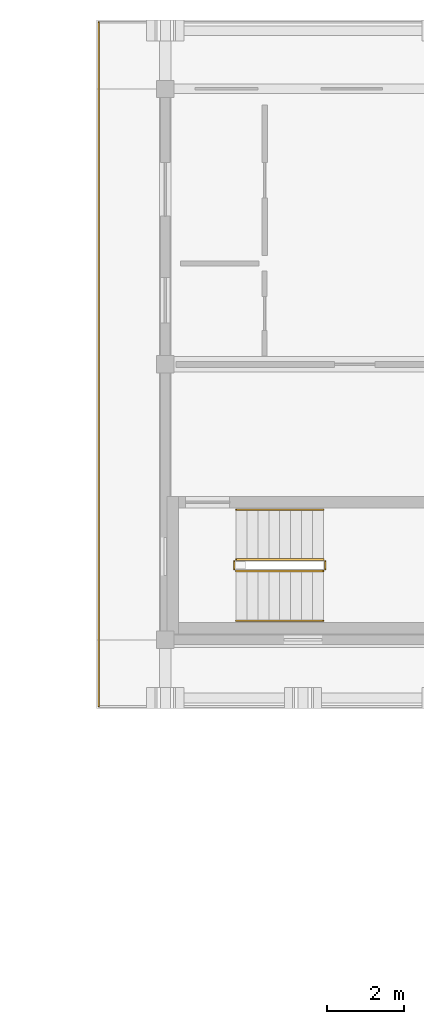
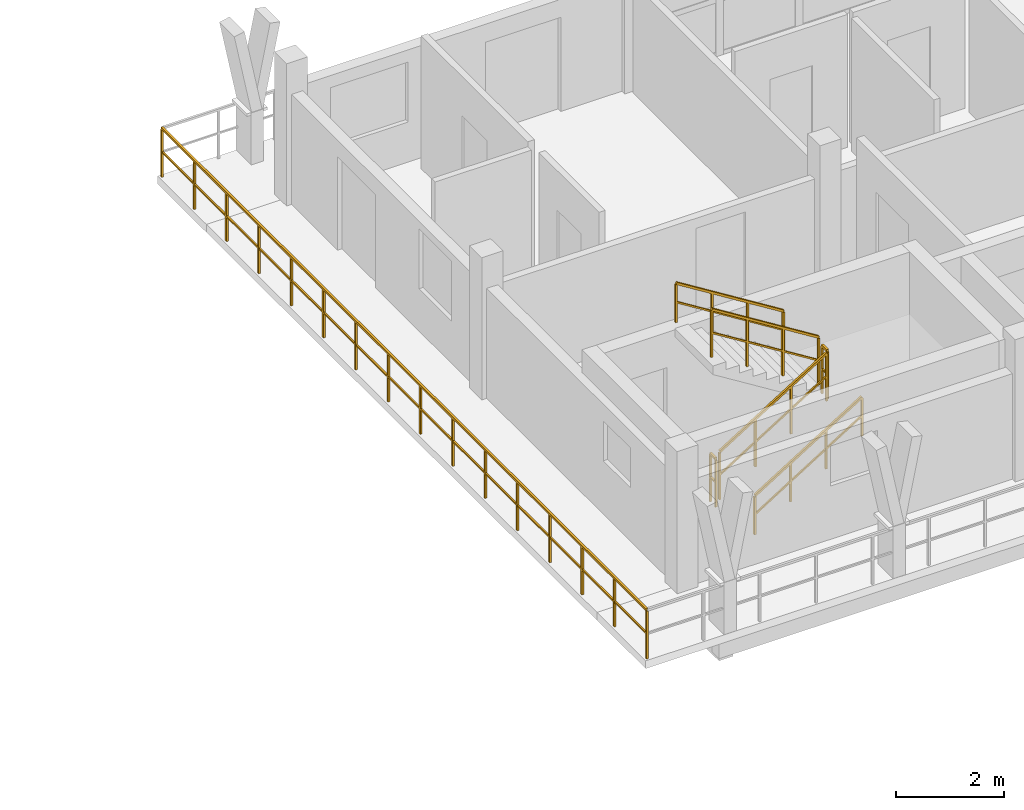
# One storey, part 42 of 45: 7 railings.
"""IFC4 building model written with IfcOpenShell, lengths in metres."""

from ifc_helpers import new_model, si_unit, direction, frame, origin, origin_2d, place, context, subcontext, project, spatial, rectangle, extrude, material, type_object, element, save


model = new_model("IFC4")

# Units and contexts
model_context = context("Model", 3, precision=1e-05, world=origin(), true_north=direction((0.0, 1.0)))
body_context = subcontext(model_context, "Body", "Model", "MODEL_VIEW")
ifc_project = project(units=[si_unit("LENGTHUNIT", "METRE"), si_unit("AREAUNIT", "SQUARE_METRE"), si_unit("VOLUMEUNIT", "CUBIC_METRE"), si_unit("PLANEANGLEUNIT", "RADIAN"), si_unit("MASSUNIT", "GRAM", prefix="KILO")], contexts=[model_context])

# Site, building, storey
site_placement = place(None, origin())
site = spatial("IfcSite", under=ifc_project, at=site_placement, CompositionType="ELEMENT")
building_placement = place(site_placement, origin())
building = spatial("IfcBuilding", under=site, at=building_placement, Name="Suanplinth Sawtooth Commons", CompositionType="ELEMENT")
storey_placement = place(building_placement, frame((0.0, 0.0, 38.0)))
storey = spatial("IfcBuildingStorey", under=building, at=storey_placement, Name="L11", CompositionType="ELEMENT", Elevation=38.0)

# Railings
ifc_material_1 = material(Name="Powder-coated galvanized steel", Category="steel")
railing_type_1 = type_object("IfcRailingType", Name="GR-01", PredefinedType="BALUSTRADE", material=ifc_material_1)
railing_1_placement = place(storey_placement, frame((135.06005859375, 106.260009765625, 0.0)))
element("IfcRailing", 1, at=railing_1_placement, inside=storey, type_object=railing_type_1, Name="L11 Block B Perimeter Balustrade 3", PredefinedType="BALUSTRADE", context=body_context, shape_type="SweptSolid", body=[
    extrude(rectangle(XDim=0.048095703125, YDim=0.048095703125, at=origin_2d()), frame((0.0, 0.0, 1.09619140625), z_axis=(0.0, 1.0, 0.0), x_axis=(-1.0, 0.0, 0.0)), (0.0, 0.0, 1.0), 17.8798828125),
    extrude(rectangle(XDim=0.03369140625, YDim=0.03369140625, at=origin_2d()), frame((0.0, 0.0, 0.56005859375), z_axis=(0.0, 1.0, 0.0), x_axis=(-1.0, 0.0, 0.0)), (0.0, 0.0, 1.0), 17.8798828125),
    extrude(rectangle(XDim=0.0419921875, YDim=0.0419921875, at=origin_2d()), origin(), (0.0, 0.0, 1.0), 1.072021484375),
    extrude(rectangle(XDim=0.0419921875, YDim=0.0419921875, at=origin_2d()), frame((0.0, 1.19189453125, 0.0)), (0.0, 0.0, 1.0), 1.072021484375),
    extrude(rectangle(XDim=0.0419921875, YDim=0.0419921875, at=origin_2d()), frame((0.0, 2.384033203125, 0.0)), (0.0, 0.0, 1.0), 1.072021484375),
    extrude(rectangle(XDim=0.0419921875, YDim=0.0419921875, at=origin_2d()), frame((0.0, 3.575927734375, 0.0)), (0.0, 0.0, 1.0), 1.072021484375),
    extrude(rectangle(XDim=0.0419921875, YDim=0.0419921875, at=origin_2d()), frame((0.0, 4.76806640625, 0.0)), (0.0, 0.0, 1.0), 1.072021484375),
    extrude(rectangle(XDim=0.0419921875, YDim=0.0419921875, at=origin_2d()), frame((0.0, 5.9599609375, 0.0)), (0.0, 0.0, 1.0), 1.072021484375),
    extrude(rectangle(XDim=0.0419921875, YDim=0.0419921875, at=origin_2d()), frame((0.0, 7.15185546875, 0.0)), (0.0, 0.0, 1.0), 1.072021484375),
    extrude(rectangle(XDim=0.0419921875, YDim=0.0419921875, at=origin_2d()), frame((0.0, 8.343994140625, 0.0)), (0.0, 0.0, 1.0), 1.072021484375),
    extrude(rectangle(XDim=0.0419921875, YDim=0.0419921875, at=origin_2d()), frame((0.0, 9.535888671875, 0.0)), (0.0, 0.0, 1.0), 1.072021484375),
    extrude(rectangle(XDim=0.0419921875, YDim=0.0419921875, at=origin_2d()), frame((0.0, 10.72802734375, 0.0)), (0.0, 0.0, 1.0), 1.072021484375),
    extrude(rectangle(XDim=0.0419921875, YDim=0.0419921875, at=origin_2d()), frame((0.0, 11.919921875, 0.0)), (0.0, 0.0, 1.0), 1.072021484375),
    extrude(rectangle(XDim=0.0419921875, YDim=0.0419921875, at=origin_2d()), frame((0.0, 13.11181640625, 0.0)), (0.0, 0.0, 1.0), 1.072021484375),
    extrude(rectangle(XDim=0.0419921875, YDim=0.0419921875, at=origin_2d()), frame((0.0, 14.303955078125, 0.0)), (0.0, 0.0, 1.0), 1.072021484375),
    extrude(rectangle(XDim=0.0419921875, YDim=0.0419921875, at=origin_2d()), frame((0.0, 15.495849609375, 0.0)), (0.0, 0.0, 1.0), 1.072021484375),
    extrude(rectangle(XDim=0.0419921875, YDim=0.0419921875, at=origin_2d()), frame((0.0, 16.68798828125, 0.0)), (0.0, 0.0, 1.0), 1.072021484375),
    extrude(rectangle(XDim=0.0419921875, YDim=0.0419921875, at=origin_2d()), frame((0.0, 17.8798828125, 0.0)), (0.0, 0.0, 1.0), 1.072021484375),
])
ifc_material_2 = material(Name="Stainless steel Grade 304", Category="steel")
railing_type_2 = type_object("IfcRailingType", Name="GR-04", PredefinedType="GUARDRAIL", material=ifc_material_2)
railing_2_placement = place(storey_placement, frame((138.64990234375, 109.800048828125, 0.177734375)))
element("IfcRailing", 2, at=railing_2_placement, inside=storey, type_object=railing_type_2, Name="L11 ST-E1 Guard 1", PredefinedType="GUARDRAIL", context=body_context, shape_type="SweptSolid", body=[
    extrude(rectangle(XDim=0.048095703125, YDim=0.048095703125, at=origin_2d()), frame((0.0, 0.0, 1.076171875), z_axis=(0.848442045328, 0.0, 0.529288291689), x_axis=(0.0, 1.0, 0.0)), (0.0, 0.0, 1.0), 2.687255859375),
    extrude(rectangle(XDim=0.03369140625, YDim=0.03369140625, at=origin_2d()), frame((0.0, 0.0, 0.550048828125), z_axis=(0.848442045328, 0.0, 0.529288291689), x_axis=(0.0, 1.0, 0.0)), (0.0, 0.0, 1.0), 2.687255859375),
    extrude(rectangle(XDim=0.0419921875, YDim=0.0419921875, at=origin_2d()), origin(), (0.0, 0.0, 1.0), 1.052001953125),
    extrude(rectangle(XDim=0.0419921875, YDim=0.0419921875, at=origin_2d()), frame((0.760009765625, 0.0, 0.47412109375)), (0.0, 0.0, 1.0), 1.052001953125),
    extrude(rectangle(XDim=0.0419921875, YDim=0.0419921875, at=origin_2d()), frame((1.52001953125, 0.0, 0.9482421875)), (0.0, 0.0, 1.0), 1.052001953125),
    extrude(rectangle(XDim=0.0419921875, YDim=0.0419921875, at=origin_2d()), frame((2.280029296875, 0.0, 1.42236328125)), (0.0, 0.0, 1.0), 1.052001953125),
])
railing_3_placement = place(storey_placement, frame((140.97998046875, 109.85009765625, 1.60009765625)))
element("IfcRailing", 3, at=railing_3_placement, inside=storey, type_object=railing_type_2, Name="L11 ST-E1 Guard 2", PredefinedType="GUARDRAIL", context=body_context, shape_type="SweptSolid", body=[
    extrude(rectangle(XDim=0.048095703125, YDim=0.048095703125, at=origin_2d()), frame((0.0, 0.0, 1.076171875), z_axis=(0.0, 1.0, 0.0), x_axis=(-1.0, 0.0, 0.0)), (0.0, 0.0, 1.0), 0.199951171875),
    extrude(rectangle(XDim=0.03369140625, YDim=0.03369140625, at=origin_2d()), frame((0.0, 0.0, 0.550048828125), z_axis=(0.0, 1.0, 0.0), x_axis=(-1.0, 0.0, 0.0)), (0.0, 0.0, 1.0), 0.199951171875),
    extrude(rectangle(XDim=0.0419921875, YDim=0.0419921875, at=origin_2d()), origin(), (0.0, 0.0, 1.0), 1.052001953125),
    extrude(rectangle(XDim=0.0419921875, YDim=0.0419921875, at=origin_2d()), frame((0.0, 0.199951171875, 0.0)), (0.0, 0.0, 1.0), 1.052001953125),
])
railing_4_placement = place(storey_placement, frame((140.929931640625, 110.10009765625, 1.77783203125)))
element("IfcRailing", 4, at=railing_4_placement, inside=storey, type_object=railing_type_2, Name="L11 ST-E1 Guard 3", PredefinedType="GUARDRAIL", context=body_context, shape_type="SweptSolid", body=[
    extrude(rectangle(XDim=0.048095703125, YDim=0.048095703125, at=origin_2d()), frame((0.0, 0.0, 1.076171875), z_axis=(-0.848482842525, 0.0, 0.529222888715), x_axis=(0.0, -1.0, 0.0)), (0.0, 0.0, 1.0), 2.687255859375),
    extrude(rectangle(XDim=0.03369140625, YDim=0.03369140625, at=origin_2d()), frame((0.0, 0.0, 0.550048828125), z_axis=(-0.848482842525, 0.0, 0.529222888715), x_axis=(0.0, -1.0, 0.0)), (0.0, 0.0, 1.0), 2.687255859375),
    extrude(rectangle(XDim=0.0419921875, YDim=0.0419921875, at=origin_2d()), origin(), (0.0, 0.0, 1.0), 1.052001953125),
    extrude(rectangle(XDim=0.0419921875, YDim=0.0419921875, at=origin_2d()), frame((-0.760009765625, 0.0, 0.47412109375)), (0.0, 0.0, 1.0), 1.052001953125),
    extrude(rectangle(XDim=0.0419921875, YDim=0.0419921875, at=origin_2d()), frame((-1.52001953125, 0.0, 0.947998046875)), (0.0, 0.0, 1.0), 1.052001953125),
    extrude(rectangle(XDim=0.0419921875, YDim=0.0419921875, at=origin_2d()), frame((-2.280029296875, 0.0, 1.422119140625)), (0.0, 0.0, 1.0), 1.052001953125),
])
railing_5_placement = place(storey_placement, frame((138.60009765625, 109.85009765625, 0.0)))
element("IfcRailing", 5, at=railing_5_placement, inside=storey, type_object=railing_type_2, Name="L11 ST-E1 Guard 4", PredefinedType="GUARDRAIL", context=body_context, shape_type="SweptSolid", body=[
    extrude(rectangle(XDim=0.048095703125, YDim=0.048095703125, at=origin_2d()), frame((0.0, 0.0, 1.076171875), z_axis=(0.0, 1.0, 0.0), x_axis=(-1.0, 0.0, 0.0)), (0.0, 0.0, 1.0), 0.199951171875),
    extrude(rectangle(XDim=0.03369140625, YDim=0.03369140625, at=origin_2d()), frame((0.0, 0.0, 0.550048828125), z_axis=(0.0, 1.0, 0.0), x_axis=(-1.0, 0.0, 0.0)), (0.0, 0.0, 1.0), 0.199951171875),
    extrude(rectangle(XDim=0.0419921875, YDim=0.0419921875, at=origin_2d()), origin(), (0.0, 0.0, 1.0), 1.052001953125),
    extrude(rectangle(XDim=0.0419921875, YDim=0.0419921875, at=origin_2d()), frame((0.0, 0.199951171875, 0.0)), (0.0, 0.0, 1.0), 1.052001953125),
])
railing_type_3 = type_object("IfcRailingType", Name="HR-01", PredefinedType="HANDRAIL", material=ifc_material_2)
railing_6_placement = place(storey_placement, frame((138.64990234375, 108.5, 0.177734375)))
element("IfcRailing", 6, at=railing_6_placement, inside=storey, type_object=railing_type_3, Name="L11 ST-E1 Handrail 1", PredefinedType="HANDRAIL", context=body_context, shape_type="SweptSolid", body=[
    extrude(rectangle(XDim=0.048095703125, YDim=0.048095703125, at=origin_2d()), frame((0.0, 0.0, 0.8759765625), z_axis=(0.848442045328, 0.0, 0.529288291689), x_axis=(0.0, 1.0, 0.0)), (0.0, 0.0, 1.0), 2.687255859375),
    extrude(rectangle(XDim=0.03369140625, YDim=0.03369140625, at=origin_2d()), frame((0.0, 0.0, 0.449951171875), z_axis=(0.848442045328, 0.0, 0.529288291689), x_axis=(0.0, 1.0, 0.0)), (0.0, 0.0, 1.0), 2.687255859375),
    extrude(rectangle(XDim=0.0419921875, YDim=0.0419921875, at=origin_2d()), origin(), (0.0, 0.0, 1.0), 0.851806640625),
    extrude(rectangle(XDim=0.0419921875, YDim=0.0419921875, at=origin_2d()), frame((0.760009765625, 0.0, 0.47412109375)), (0.0, 0.0, 1.0), 0.851806640625),
    extrude(rectangle(XDim=0.0419921875, YDim=0.0419921875, at=origin_2d()), frame((1.52001953125, 0.0, 0.9482421875)), (0.0, 0.0, 1.0), 0.851806640625),
    extrude(rectangle(XDim=0.0419921875, YDim=0.0419921875, at=origin_2d()), frame((2.280029296875, 0.0, 1.42236328125)), (0.0, 0.0, 1.0), 0.851806640625),
])
railing_7_placement = place(storey_placement, frame((140.929931640625, 111.39990234375, 1.77783203125)))
element("IfcRailing", 7, at=railing_7_placement, inside=storey, type_object=railing_type_3, Name="L11 ST-E1 Handrail 2", PredefinedType="HANDRAIL", context=body_context, shape_type="SweptSolid", body=[
    extrude(rectangle(XDim=0.048095703125, YDim=0.048095703125, at=origin_2d()), frame((0.0, 0.0, 0.8759765625), z_axis=(-0.848482842525, 0.0, 0.529222888715), x_axis=(0.0, -1.0, 0.0)), (0.0, 0.0, 1.0), 2.687255859375),
    extrude(rectangle(XDim=0.03369140625, YDim=0.03369140625, at=origin_2d()), frame((0.0, 0.0, 0.449951171875), z_axis=(-0.848482842525, 0.0, 0.529222888715), x_axis=(0.0, -1.0, 0.0)), (0.0, 0.0, 1.0), 2.687255859375),
    extrude(rectangle(XDim=0.0419921875, YDim=0.0419921875, at=origin_2d()), origin(), (0.0, 0.0, 1.0), 0.851806640625),
    extrude(rectangle(XDim=0.0419921875, YDim=0.0419921875, at=origin_2d()), frame((-0.760009765625, 0.0, 0.47412109375)), (0.0, 0.0, 1.0), 0.851806640625),
    extrude(rectangle(XDim=0.0419921875, YDim=0.0419921875, at=origin_2d()), frame((-1.52001953125, 0.0, 0.947998046875)), (0.0, 0.0, 1.0), 0.851806640625),
    extrude(rectangle(XDim=0.0419921875, YDim=0.0419921875, at=origin_2d()), frame((-2.280029296875, 0.0, 1.422119140625)), (0.0, 0.0, 1.0), 0.851806640625),
])

save(model, "model.ifc")
